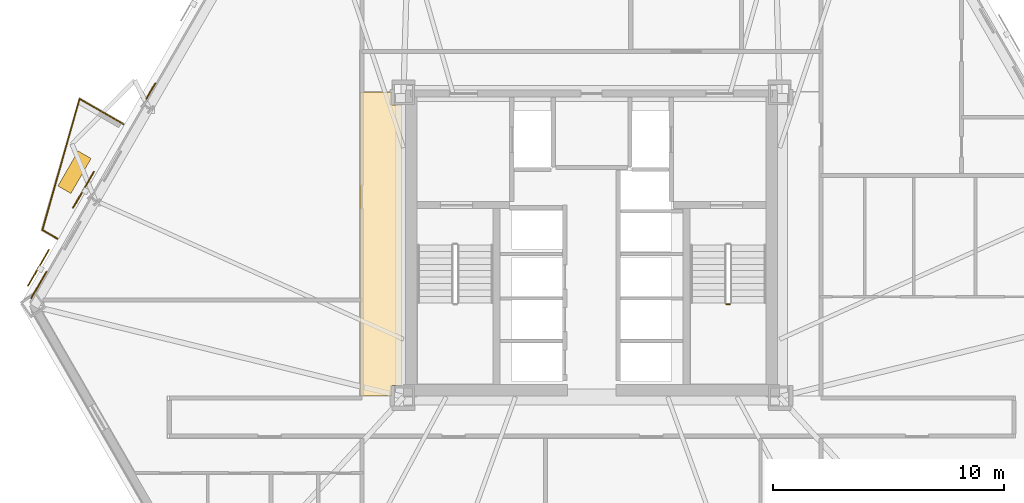
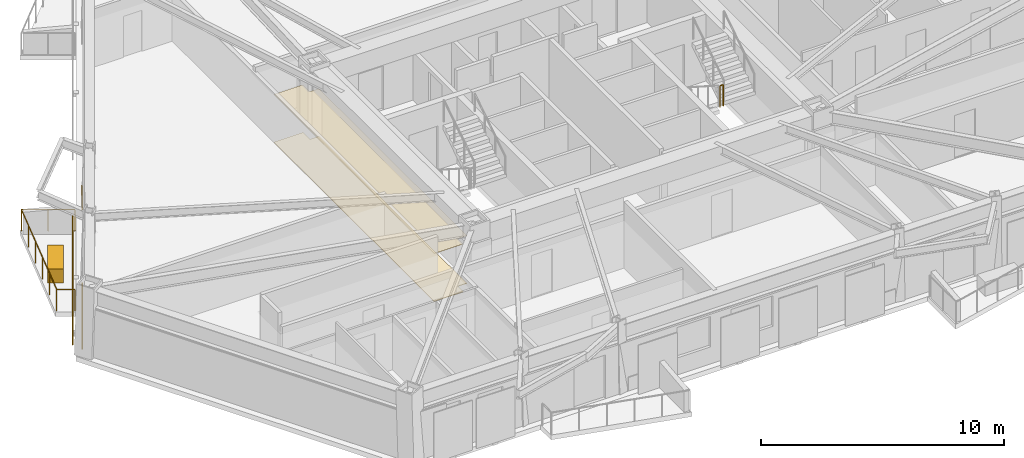
# One storey, part 10 of 13: 5 coverings, 4 railings, 2 shading devices.
"""IFC4 building model written with IfcOpenShell, lengths in metres."""

from ifc_helpers import new_model, si_unit, direction, frame, origin, origin_2d, place, context, subcontext, project, spatial, polyline, rectangle, circle, outline, extrude, material, layer, layer_set, type_object, element, save


model = new_model("IFC4")

# Units and contexts
model_context = context("Model", 3, precision=1e-05, world=origin(), true_north=direction((0.0, 1.0)))
body_context = subcontext(model_context, "Body", "Model", "MODEL_VIEW")
ifc_project = project(units=[si_unit("LENGTHUNIT", "METRE"), si_unit("AREAUNIT", "SQUARE_METRE"), si_unit("VOLUMEUNIT", "CUBIC_METRE"), si_unit("PLANEANGLEUNIT", "RADIAN"), si_unit("MASSUNIT", "GRAM", prefix="KILO")], contexts=[model_context])

# Site, building, storey
site_placement = place(None, origin())
site = spatial("IfcSite", under=ifc_project, at=site_placement, CompositionType="ELEMENT")
building_placement = place(site_placement, origin())
building = spatial("IfcBuilding", under=site, at=building_placement, Name="Oramaril Tower", CompositionType="ELEMENT")
storey_placement = place(building_placement, frame((0.0, 0.0, 38.10009765625)))
storey = spatial("IfcBuildingStorey", under=building, at=storey_placement, Name="L09", CompositionType="ELEMENT", Elevation=38.10009765625)

# Coverings
ifc_material_1 = material(Name="Mineral Fibre Acoustic Ceiling")
ifc_layer_1 = layer(ifc_material_1, 0.02001953125)
ifc_layer_set_1 = layer_set([ifc_layer_1], Name="CVT-CEIL")
covering_type_1 = type_object("IfcCoveringType", Name="CVT-CEIL", PredefinedType="CEILING", material=ifc_layer_set_1)
covering_1_placement = place(storey_placement, frame((0.0, 0.0, 2.39990234375)))
element("IfcCovering", 1, at=covering_1_placement, inside=storey, type_object=covering_type_1, Name="L09 Acoustic Suspended Ceiling 3", PredefinedType="CEILING", context=body_context, shape_type="SweptSolid", body=[
    extrude(outline(polyline([(28.85498046875, 23.655029296875), (29.280029296875, 23.655029296875), (29.280029296875, 11.4951171875), (28.85498046875, 11.4951171875), (28.85498046875, 11.050048828125), (27.469970703125, 11.050048828125), (27.469970703125, 24.219970703125), (28.85498046875, 24.219970703125), (28.85498046875, 23.655029296875)])), origin(), (0.0, 0.0, 1.0), 0.02001953125),
])
ifc_material_2 = material(Name="Warm Cream Limestone", Category="masonry")
ifc_layer_2 = layer(ifc_material_2, 0.050048828125)
ifc_layer_set_2 = layer_set([ifc_layer_2], Name="CVT-CLD")
covering_type_2 = type_object("IfcCoveringType", Name="CVT-CLD", PredefinedType="CLADDING", material=ifc_layer_set_2)
covering_2_placement = place(storey_placement, frame((13.544921875, 15.8466796875, 0.039794921875), z_axis=(0.0, 0.0, 1.0), x_axis=(-0.4999984885, -0.866026276448, 0.0)))
element("IfcCovering", 2, at=covering_2_placement, inside=storey, type_object=covering_type_2, Name="L09 Warm Cream Limestone Cladding", PredefinedType="CLADDING", context=body_context, shape_type="SweptSolid", body=[
    extrude(rectangle(XDim=1.35009765625, YDim=0.050048828125, at=origin_2d()), origin(), (0.0, 0.0, 1.0), 2.4140625),
])
covering_3_placement = place(storey_placement, frame((18.4033203125, 24.261962890625, 0.0400390625), z_axis=(0.0, 0.0, 1.0), x_axis=(-0.4999984885, -0.866026276448, 0.0)))
element("IfcCovering", 3, at=covering_3_placement, inside=storey, type_object=covering_type_2, Name="L09 Warm Cream Limestone Spandrel Cladding", PredefinedType="CLADDING", context=body_context, shape_type="SweptSolid", body=[
    extrude(rectangle(XDim=0.800048828125, YDim=0.050048828125, at=origin_2d()), origin(), (0.0, 0.0, 1.0), 0.679931640625),
])
covering_4_placement = place(storey_placement, frame((15.093994140625, 20.73681640625, 0.0), z_axis=(0.0, 0.0, 1.0), x_axis=(-0.4999984885, -0.866026276448, 0.0)))
element("IfcCovering", 4, at=covering_4_placement, inside=storey, type_object=covering_type_2, Name="L09 Structural Tree Planter Box L09-BAL-NW2", PredefinedType="CLADDING", context=body_context, shape_type="SweptSolid", body=[
    extrude(rectangle(XDim=1.75, YDim=0.64990234375, at=origin_2d()), origin(), (0.0, 0.0, 1.0), 0.699951171875),
])
ifc_material_3 = material(Name="Honed Quartzite Stone Flooring", Category="masonry")
ifc_layer_3 = layer(ifc_material_3, 0.02490234375)
ifc_layer_set_3 = layer_set([ifc_layer_3], Name="CVT-FLR")
covering_type_3 = type_object("IfcCoveringType", Name="CVT-FLR", PredefinedType="FLOORING", material=ifc_layer_set_3)
covering_5_placement = place(storey_placement, origin())
element("IfcCovering", 5, at=covering_5_placement, inside=storey, type_object=covering_type_3, Name="L09 Honed Stone Floor Finish 3", PredefinedType="FLOORING", context=body_context, shape_type="SweptSolid", body=[
    extrude(outline(polyline([(28.85498046875, 23.655029296875), (29.280029296875, 23.655029296875), (29.280029296875, 11.4951171875), (28.85498046875, 11.4951171875), (28.85498046875, 11.050048828125), (27.469970703125, 11.050048828125), (27.469970703125, 24.219970703125), (28.85498046875, 24.219970703125), (28.85498046875, 23.655029296875)])), origin(), (0.0, 0.0, 1.0), 0.02490234375),
])

# Railings
ifc_material_4 = material(Name="Stainless Steel 316L", Category="steel")
railing_type = type_object("IfcRailingType", Name="RLT-GRD", PredefinedType="GUARDRAIL", material=ifc_material_4)
railing_1_placement = place(storey_placement, frame((14.34423828125, 17.861572265625, 0.0)))
element("IfcRailing", 6, at=railing_1_placement, inside=storey, type_object=railing_type, Name="L09 Balcony Guardrail L09-BAL-NW2.1", PredefinedType="GUARDRAIL", context=body_context, shape_type="SweptSolid", body=[
    extrude(circle(Radius=0.02392578125, at=origin_2d()), frame((0.0, 0.0, 1.076171875), z_axis=(-0.866026623601, 0.49999788721, 0.0), x_axis=(-0.49999788721, -0.866026623601, 0.0)), (0.0, 0.0, 1.0), 0.74169921875),
    extrude(circle(Radius=0.02099609375, at=origin_2d()), origin(), (0.0, 0.0, 1.0), 1.052001953125),
    extrude(circle(Radius=0.02099609375, at=origin_2d()), frame((-0.642333984375, 0.370849609375, 0.0)), (0.0, 0.0, 1.0), 1.052001953125),
])
railing_2_placement = place(storey_placement, frame((13.701904296875, 18.232421875, 0.0)))
element("IfcRailing", 7, at=railing_2_placement, inside=storey, type_object=railing_type, Name="L09 Balcony Guardrail L09-BAL-NW2.2", PredefinedType="GUARDRAIL", context=body_context, shape_type="SweptSolid", body=[
    extrude(circle(Radius=0.02392578125, at=origin_2d()), frame((0.0, 0.0, 1.076171875), z_axis=(0.27224886544, 0.962226873074, 0.0), x_axis=(-0.962226873074, 0.27224886544, 0.0)), (0.0, 0.0, 1.0), 5.910400390625),
    extrude(circle(Radius=0.02099609375, at=origin_2d()), origin(), (0.0, 0.0, 1.0), 1.052001953125),
    extrude(circle(Radius=0.02099609375, at=origin_2d()), frame((0.32177734375, 1.137451171875, 0.0)), (0.0, 0.0, 1.0), 1.052001953125),
    extrude(circle(Radius=0.02099609375, at=origin_2d()), frame((0.6435546875, 2.27490234375, 0.0)), (0.0, 0.0, 1.0), 1.052001953125),
    extrude(circle(Radius=0.02099609375, at=origin_2d()), frame((0.965576171875, 3.412353515625, 0.0)), (0.0, 0.0, 1.0), 1.052001953125),
    extrude(circle(Radius=0.02099609375, at=origin_2d()), frame((1.287353515625, 4.5498046875, 0.0)), (0.0, 0.0, 1.0), 1.052001953125),
    extrude(circle(Radius=0.02099609375, at=origin_2d()), frame((1.609130859375, 5.687255859375, 0.0)), (0.0, 0.0, 1.0), 1.052001953125),
])
railing_3_placement = place(storey_placement, frame((15.31103515625, 23.919677734375, 0.0)))
element("IfcRailing", 8, at=railing_3_placement, inside=storey, type_object=railing_type, Name="L09 Balcony Guardrail L09-BAL-NW2.3", PredefinedType="GUARDRAIL", context=body_context, shape_type="SweptSolid", body=[
    extrude(circle(Radius=0.02392578125, at=origin_2d()), frame((0.0, 0.0, 1.076171875), z_axis=(0.866020500697, -0.5000084923, 0.0), x_axis=(0.5000084923, 0.866020500697, 0.0)), (0.0, 0.0, 1.0), 2.19189453125),
    extrude(circle(Radius=0.02099609375, at=origin_2d()), origin(), (0.0, 0.0, 1.0), 1.052001953125),
    extrude(circle(Radius=0.02099609375, at=origin_2d()), frame((0.94921875, -0.5478515625, 0.0)), (0.0, 0.0, 1.0), 1.052001953125),
    extrude(circle(Radius=0.02099609375, at=origin_2d()), frame((1.898193359375, -1.095947265625, 0.0)), (0.0, 0.0, 1.0), 1.052001953125),
])
railing_4_placement = place(storey_placement, frame((43.340087890625, 15.02001953125, 1.7998046875)))
element("IfcRailing", 9, at=railing_4_placement, inside=storey, type_object=railing_type, Name="L09 ST-2 stair guard 2", PredefinedType="GUARDRAIL", context=body_context, shape_type="SweptSolid", body=[
    extrude(circle(Radius=0.02392578125, at=origin_2d()), frame((0.0, 0.0, 1.076171875), z_axis=(1.0, 0.0, 0.0), x_axis=(0.0, 1.0, 0.0)), (0.0, 0.0, 1.0), 0.14990234375),
    extrude(circle(Radius=0.02099609375, at=origin_2d()), origin(), (0.0, 0.0, 1.0), 1.052001953125),
    extrude(circle(Radius=0.02099609375, at=origin_2d()), frame((0.14990234375, 0.0, 0.0)), (0.0, 0.0, 1.0), 1.052001953125),
])

# Shading devices
for number, where, z_axis, x_axis, name in (
    (10, (15.481201171875, 19.974365234375, -0.02001953125), (0.0, 0.0, 1.0), (-0.4999984885, -0.866026276448, 0.0), "L09 Perforated Ceramic Solar Screen"),
    (11, (13.53125, 16.596923828125, -0.02001953125), (0.0, 0.0, 1.0), (-0.4999984885, -0.866026276448, 0.0), "L09 Perforated Ceramic Solar Screen"),
):
    element("IfcShadingDevice", number, at=place(storey_placement, frame(where, z_axis=z_axis, x_axis=x_axis)), inside=storey, Name=name, ObjectType="SCREEN", PredefinedType="USERDEFINED", context=body_context, shape_type="SweptSolid", body=[
        extrude(rectangle(XDim=1.8330078125, YDim=0.050048828125, at=origin_2d()), origin(), (0.0, 0.0, 1.0), 2.493896484375),
    ])

save(model, "model.ifc")
